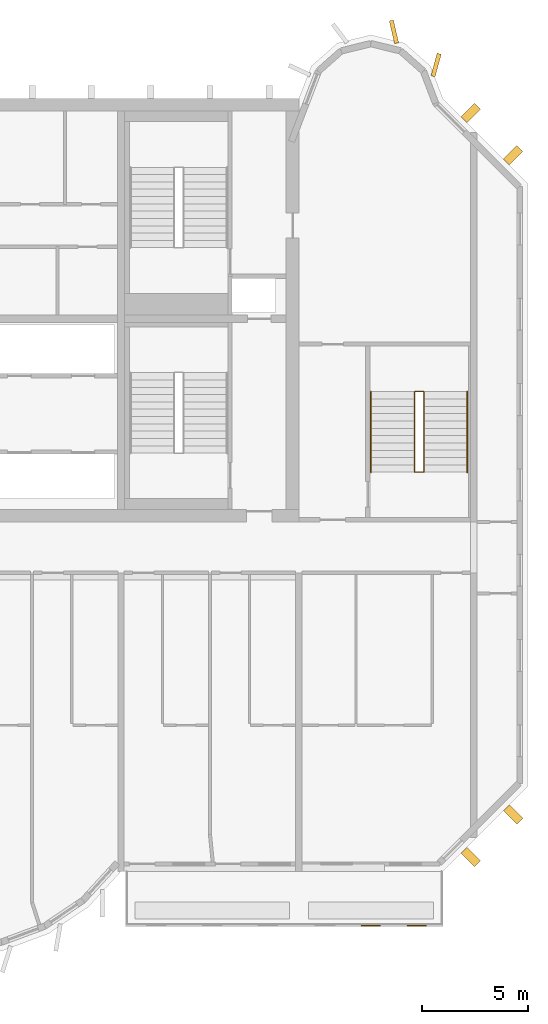
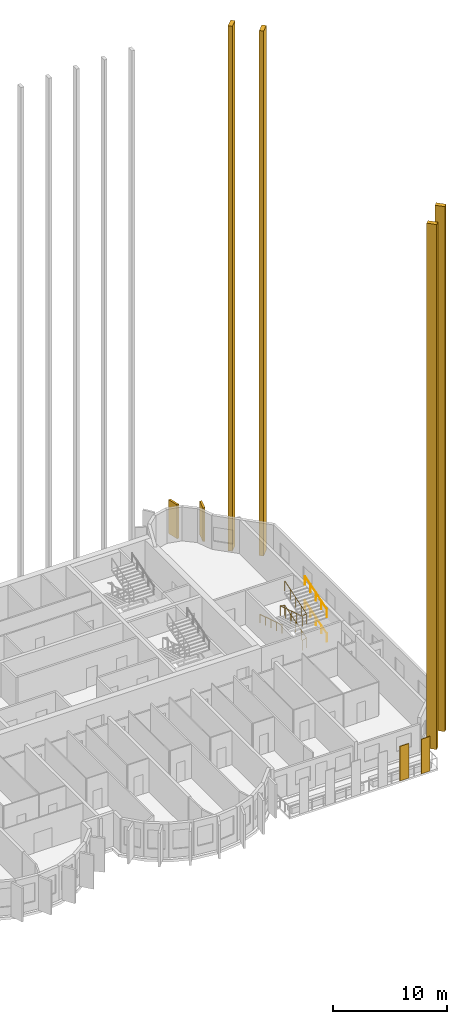
# One storey, part 12 of 13: 8 coverings, 4 railings.
"""IFC4 building model written with IfcOpenShell, lengths in metres."""

from ifc_helpers import new_model, si_unit, direction, frame, origin, origin_2d, place, context, subcontext, project, spatial, rectangle, circle, extrude, source, transform, mapped, material, layer, layer_set, material_profile, profile_set, type_object, element, save


model = new_model("IFC4")

# Units and contexts
model_context = context("Model", 3, precision=1e-05, world=origin(), true_north=direction((0.0, 1.0)))
body_context = subcontext(model_context, "Body", "Model", "MODEL_VIEW")
ifc_project = project(units=[si_unit("LENGTHUNIT", "METRE"), si_unit("AREAUNIT", "SQUARE_METRE"), si_unit("VOLUMEUNIT", "CUBIC_METRE"), si_unit("PLANEANGLEUNIT", "RADIAN"), si_unit("MASSUNIT", "GRAM", prefix="KILO")], contexts=[model_context])

# Site, building, storey
site_placement = place(None, origin())
site = spatial("IfcSite", under=ifc_project, at=site_placement, CompositionType="ELEMENT")
building_placement = place(site_placement, origin())
building = spatial("IfcBuilding", under=site, at=building_placement, Name="Vanashikhar Sky Hotel", CompositionType="ELEMENT")
storey_placement = place(building_placement, frame((0.0, 0.0, 214.0)))
storey = spatial("IfcBuildingStorey", under=building, at=storey_placement, Name="L51", CompositionType="ELEMENT", Elevation=214.0)

# Coverings
ifc_material_1 = material(Name="Terracotta", Category="masonry")
ifc_layer = layer(ifc_material_1, 0.06005859375)
ifc_layer_set = layer_set([ifc_layer], Name="Terracotta baguette screen")
covering_type_1 = type_object("IfcCoveringType", Name="Terracotta baguette screen", PredefinedType="CLADDING", material=ifc_layer_set)
shared_shape_1 = source(origin(), body_context, "Body", "SweptSolid", [
    extrude(rectangle(XDim=0.89990234375, YDim=0.06005859375, at=origin_2d()), origin(), (0.0, 0.0, 1.0), 3.699951171875),
])
for number, where, z_axis, x_axis, name in (
    (1, (79.0, 2.929931640625, -0.0498046875), (0.0, 0.0, 1.0), (1.0, 0.0, 0.0), "Terracotta screen"),
    (2, (81.166748046875, 2.929931640625, -0.0498046875), (0.0, 0.0, 1.0), (1.0, 0.0, 0.0), "Terracotta screen"),
):
    element("IfcCovering", number, at=place(storey_placement, frame(where, z_axis=z_axis, x_axis=x_axis)), inside=storey, type_object=covering_type_1, Name=name, PredefinedType="CLADDING", context=body_context, shape_type="MappedRepresentation", body=[
        mapped(shared_shape_1, transform((0.0, 0.0, 0.0), scale=1.0)),
    ])
ifc_material_2 = material(Name="Concrete M60 dark", Category="concrete")
ifc_material_profile_1 = material_profile(ifc_material_2, rectangle(XDim=1.10009765625, YDim=0.199951171875, at=origin_2d()))
ifc_profile_set_1 = profile_set([ifc_material_profile_1], Name="Rear lobe fin 1100 x 200")
covering_type_2 = type_object("IfcCoveringType", Name="Rear lobe fin 1100 x 200", PredefinedType="CLADDING", material=ifc_profile_set_1)
shared_shape_2 = source(origin(), body_context, "Body", "SweptSolid", [
    extrude(rectangle(XDim=1.10009765625, YDim=0.199951171875, at=origin_2d()), origin(), (0.0, 0.0, 1.0), 3.6201171875),
])
for number, where, z_axis, x_axis, name in (
    (3, (80.08984375, 45.1455078125, 0.0), (0.0, 0.0, 1.0), (-0.224644935864, 0.974440687159, 0.0), "Fin R2-3"),
    (4, (82.0791015625, 43.580078125, 0.0), (0.0, 0.0, 1.0), (0.262711264409, 0.964874495234, 0.0), "Fin R2-4"),
):
    element("IfcCovering", number, at=place(storey_placement, frame(where, z_axis=z_axis, x_axis=x_axis)), inside=storey, type_object=covering_type_2, Name=name, PredefinedType="CLADDING", context=body_context, shape_type="MappedRepresentation", body=[
        mapped(shared_shape_2, transform((0.0, 0.0, 0.0), scale=1.0)),
    ])
ifc_material_profile_2 = material_profile(ifc_material_2, rectangle(XDim=0.89990234375, YDim=0.39990234375, at=origin_2d()))
ifc_profile_set_2 = profile_set([ifc_material_profile_2], Name="Chamfer fin 900 x 400")
covering_type_3 = type_object("IfcCoveringType", Name="Chamfer fin 900 x 400", PredefinedType="CLADDING", material=ifc_profile_set_2)
shared_shape_3 = source(origin(), body_context, "Body", "SweptSolid", [
    extrude(rectangle(XDim=0.89990234375, YDim=0.39990234375, at=origin_2d()), origin(), (0.0, 0.0, 1.0), 56.10009765625),
])
for number, where, z_axis, x_axis, name in (
    (5, (83.71826171875, 6.181884765625, -0.280029296875), (0.0, 0.0, 1.0), (0.707106781187, -0.707106781187, 0.0), "Chamfer fin"),
    (6, (85.71826171875, 8.181884765625, -0.280029296875), (0.0, 0.0, 1.0), (0.707106781187, -0.707106781187, 0.0), "Chamfer fin"),
    (7, (85.71826171875, 39.318115234375, -0.280029296875), (0.0, 0.0, 1.0), (0.707106781187, 0.707106781187, 0.0), "Chamfer fin"),
    (8, (83.71826171875, 41.318115234375, -0.280029296875), (0.0, 0.0, 1.0), (0.707106781187, 0.707106781187, 0.0), "Chamfer fin"),
):
    element("IfcCovering", number, at=place(storey_placement, frame(where, z_axis=z_axis, x_axis=x_axis)), inside=storey, type_object=covering_type_3, Name=name, PredefinedType="CLADDING", context=body_context, shape_type="MappedRepresentation", body=[
        mapped(shared_shape_3, transform((0.0, 0.0, 0.0), scale=1.0)),
    ])

# Railings
ifc_material_3 = material(Name="Steel S355", Category="steel")
railing_type_1 = type_object("IfcRailingType", Name="Stair guard 1100", PredefinedType="GUARDRAIL", material=ifc_material_3)
shared_shape_4 = source(origin(), body_context, "Body", "SweptSolid", [
    extrude(circle(Radius=0.02392578125, at=origin_2d()), frame((0.0, 0.0, 1.076171875), z_axis=(0.972185835864, 0.0, 0.234210803648), x_axis=(0.0, 1.0, 0.0)), (0.0, 0.0, 1.0), 0.462890625),
    extrude(circle(Radius=0.02392578125, at=origin_2d()), frame((0.449951171875, 0.0, 1.1845703125), z_axis=(0.0, 0.954178412317, 0.299238295459), x_axis=(-1.0, 0.0, 0.0)), (0.0, 0.0, 1.0), 3.982177734375),
    extrude(circle(Radius=0.02392578125, at=origin_2d()), frame((0.449951171875, 3.7998046875, 2.3759765625), z_axis=(-0.972185835864, 0.0, 0.234210803648), x_axis=(0.0, -1.0, 0.0)), (0.0, 0.0, 1.0), 0.462890625),
    extrude(circle(Radius=0.02392578125, at=origin_2d()), frame((0.0, 3.7998046875, 2.484375), z_axis=(0.0, -0.954178412317, 0.299238295459), x_axis=(1.0, 0.0, 0.0)), (0.0, 0.0, 1.0), 3.982177734375),
    extrude(circle(Radius=0.02392578125, at=origin_2d()), frame((0.0, 0.0, 3.67626953125), z_axis=(0.972305833095, 0.0, 0.233712145448), x_axis=(0.0, 1.0, 0.0)), (0.0, 0.0, 1.0), 0.462646484375),
    extrude(circle(Radius=0.02392578125, at=origin_2d()), frame((0.449951171875, 0.0, 3.7841796875), z_axis=(0.0, 0.954178412317, 0.299238295459), x_axis=(-1.0, 0.0, 0.0)), (0.0, 0.0, 1.0), 3.982177734375),
    extrude(circle(Radius=0.02099609375, at=origin_2d()), origin(), (0.0, 0.0, 1.0), 1.052001953125),
    extrude(circle(Radius=0.02099609375, at=origin_2d()), frame((0.449951171875, 0.0, 0.1083984375)), (0.0, 0.0, 1.0), 1.052001953125),
    extrude(circle(Radius=0.02099609375, at=origin_2d()), frame((0.449951171875, 0.949951171875, 0.40625)), (0.0, 0.0, 1.0), 1.052001953125),
    extrude(circle(Radius=0.02099609375, at=origin_2d()), frame((0.449951171875, 1.89990234375, 0.7041015625)), (0.0, 0.0, 1.0), 1.052001953125),
    extrude(circle(Radius=0.02099609375, at=origin_2d()), frame((0.449951171875, 2.849853515625, 1.002197265625)), (0.0, 0.0, 1.0), 1.052001953125),
    extrude(circle(Radius=0.02099609375, at=origin_2d()), frame((0.449951171875, 3.7998046875, 1.300048828125)), (0.0, 0.0, 1.0), 1.052001953125),
    extrude(circle(Radius=0.02099609375, at=origin_2d()), frame((0.0, 3.7998046875, 1.408447265625)), (0.0, 0.0, 1.0), 1.052001953125),
    extrude(circle(Radius=0.02099609375, at=origin_2d()), frame((0.0, 2.849853515625, 1.706298828125)), (0.0, 0.0, 1.0), 1.052001953125),
    extrude(circle(Radius=0.02099609375, at=origin_2d()), frame((0.0, 1.89990234375, 2.00439453125)), (0.0, 0.0, 1.0), 1.052001953125),
    extrude(circle(Radius=0.02099609375, at=origin_2d()), frame((0.0, 0.949951171875, 2.30224609375)), (0.0, 0.0, 1.0), 1.052001953125),
    extrude(circle(Radius=0.02099609375, at=origin_2d()), frame((0.0, 0.0, 2.60009765625)), (0.0, 0.0, 1.0), 1.052001953125),
    extrude(circle(Radius=0.02099609375, at=origin_2d()), frame((0.449951171875, 0.0, 2.708251953125)), (0.0, 0.0, 1.0), 1.052001953125),
    extrude(circle(Radius=0.02099609375, at=origin_2d()), frame((0.449951171875, 0.949951171875, 3.006103515625)), (0.0, 0.0, 1.0), 1.052001953125),
    extrude(circle(Radius=0.02099609375, at=origin_2d()), frame((0.449951171875, 1.89990234375, 3.30419921875)), (0.0, 0.0, 1.0), 1.052001953125),
    extrude(circle(Radius=0.02099609375, at=origin_2d()), frame((0.449951171875, 2.849853515625, 3.60205078125)), (0.0, 0.0, 1.0), 1.052001953125),
    extrude(circle(Radius=0.02099609375, at=origin_2d()), frame((0.449951171875, 3.7998046875, 3.89990234375)), (0.0, 0.0, 1.0), 1.052001953125),
])
railing_1_placement = place(storey_placement, frame((81.050048828125, 24.35009765625, 0.0)))
element("IfcRailing", 9, at=railing_1_placement, inside=storey, type_object=railing_type_1, Name="Exit stair 4 guard", PredefinedType="GUARDRAIL", context=body_context, shape_type="MappedRepresentation", body=[
    mapped(shared_shape_4, transform((0.0, 0.0, 0.0), scale=1.0)),
])
railing_type_2 = type_object("IfcRailingType", Name="Stair handrail 900", PredefinedType="HANDRAIL", material=ifc_material_3)
shared_shape_5 = source(origin(), body_context, "Body", "SweptSolid", [
    extrude(circle(Radius=0.02392578125, at=origin_2d()), frame((0.0, 0.0, 0.8759765625), z_axis=(0.0, 0.954178412317, 0.299238295459), x_axis=(-1.0, 0.0, 0.0)), (0.0, 0.0, 1.0), 3.982177734375),
    extrude(circle(Radius=0.02099609375, at=origin_2d()), origin(), (0.0, 0.0, 1.0), 0.851806640625),
    extrude(circle(Radius=0.02099609375, at=origin_2d()), frame((0.0, 0.949951171875, 0.2978515625)), (0.0, 0.0, 1.0), 0.851806640625),
    extrude(circle(Radius=0.02099609375, at=origin_2d()), frame((0.0, 1.89990234375, 0.595703125)), (0.0, 0.0, 1.0), 0.851806640625),
    extrude(circle(Radius=0.02099609375, at=origin_2d()), frame((0.0, 2.849853515625, 0.893798828125)), (0.0, 0.0, 1.0), 0.851806640625),
    extrude(circle(Radius=0.02099609375, at=origin_2d()), frame((0.0, 3.7998046875, 1.191650390625)), (0.0, 0.0, 1.0), 0.851806640625),
])
for number, where, name in (
    (10, (83.550048828125, 24.35009765625, 0.1083984375), "Exit stair 4 handrail"),
    (11, (83.550048828125, 24.35009765625, 2.708251953125), "Exit stair 4 handrail"),
):
    element("IfcRailing", number, at=place(storey_placement, frame(where)), inside=storey, type_object=railing_type_2, Name=name, PredefinedType="HANDRAIL", context=body_context, shape_type="MappedRepresentation", body=[
        mapped(shared_shape_5, transform((0.0, 0.0, 0.0), scale=1.0)),
    ])
shared_shape_6 = source(origin(), body_context, "Body", "SweptSolid", [
    extrude(circle(Radius=0.02392578125, at=origin_2d()), frame((0.0, 0.0, 0.8759765625), z_axis=(0.0, -0.954178412317, 0.299238295459), x_axis=(1.0, 0.0, 0.0)), (0.0, 0.0, 1.0), 3.982177734375),
    extrude(circle(Radius=0.02099609375, at=origin_2d()), origin(), (0.0, 0.0, 1.0), 0.851806640625),
    extrude(circle(Radius=0.02099609375, at=origin_2d()), frame((0.0, -0.949951171875, 0.2978515625)), (0.0, 0.0, 1.0), 0.851806640625),
    extrude(circle(Radius=0.02099609375, at=origin_2d()), frame((0.0, -1.89990234375, 0.595703125)), (0.0, 0.0, 1.0), 0.851806640625),
    extrude(circle(Radius=0.02099609375, at=origin_2d()), frame((0.0, -2.849853515625, 0.893798828125)), (0.0, 0.0, 1.0), 0.851806640625),
    extrude(circle(Radius=0.02099609375, at=origin_2d()), frame((0.0, -3.7998046875, 1.191650390625)), (0.0, 0.0, 1.0), 0.851806640625),
])
railing_2_placement = place(storey_placement, frame((79.0, 28.14990234375, 1.408447265625)))
element("IfcRailing", 12, at=railing_2_placement, inside=storey, type_object=railing_type_2, Name="Exit stair 4 handrail", PredefinedType="HANDRAIL", context=body_context, shape_type="MappedRepresentation", body=[
    mapped(shared_shape_6, transform((0.0, 0.0, 0.0), scale=1.0)),
])

save(model, "model.ifc")
